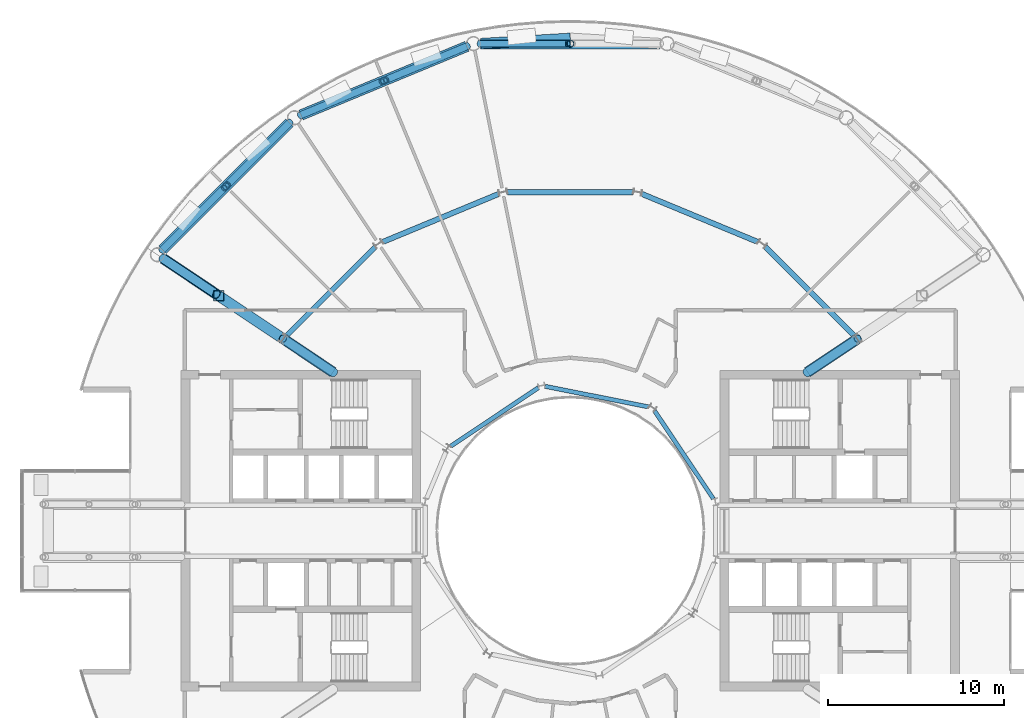
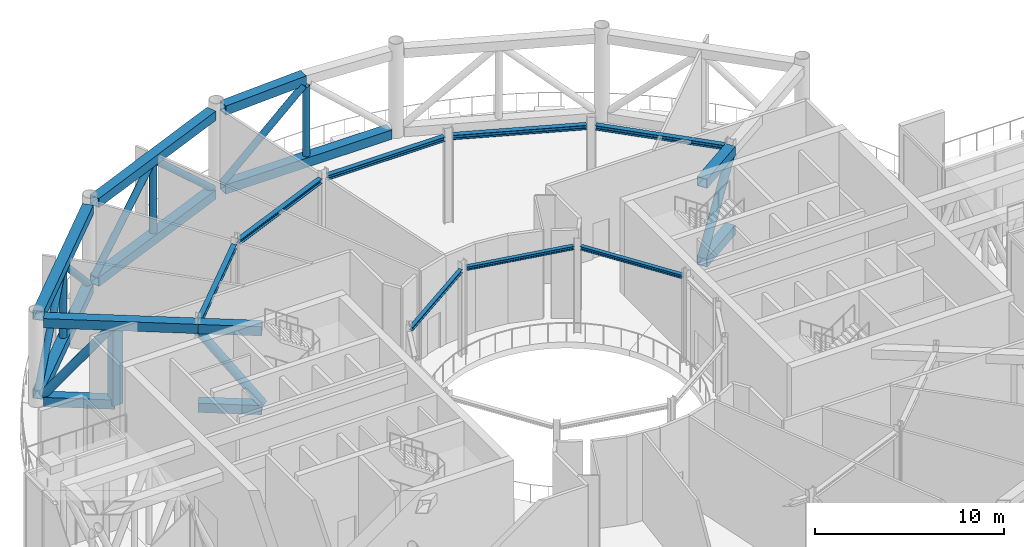
# One storey, part 9 of 24: 20 beams, 12 members.
"""IFC4 building model written with IfcOpenShell, lengths in metres."""

from ifc_helpers import new_model, si_unit, direction, frame, origin, origin_2d, place, context, subcontext, project, spatial, hollow_rectangle, hollow_circle, i_section, extrude, material, material_profile, profile_set, type_object, element, save


model = new_model("IFC4")

# Units and contexts
model_context = context("Model", 3, precision=1e-05, world=origin(), true_north=direction((0.0, 1.0)))
body_context = subcontext(model_context, "Body", "Model", "MODEL_VIEW")
ifc_project = project(units=[si_unit("LENGTHUNIT", "METRE"), si_unit("AREAUNIT", "SQUARE_METRE"), si_unit("VOLUMEUNIT", "CUBIC_METRE"), si_unit("PLANEANGLEUNIT", "RADIAN"), si_unit("MASSUNIT", "GRAM", prefix="KILO")], contexts=[model_context])

# Site, building, storey
site_placement = place(None, origin())
site = spatial("IfcSite", under=ifc_project, at=site_placement, CompositionType="ELEMENT")
building_placement = place(site_placement, origin())
building = spatial("IfcBuilding", under=site, at=building_placement, Name="Maasbend Ring Residences", CompositionType="ELEMENT")
storey_placement = place(building_placement, frame((0.0, 0.0, 179.89990234375)))
storey = spatial("IfcBuildingStorey", under=building, at=storey_placement, Name="L52", CompositionType="ELEMENT", Elevation=179.89990234375)

# Beams
ifc_material_1 = material(Name="Steel S460M", Category="steel")
ifc_material_profile_1 = material_profile(ifc_material_1, hollow_rectangle(XDim=0.60009765625, YDim=0.60009765625, WallThickness=0.035888671875, at=origin_2d()), Name="Belt truss chord BX 600x600x36")
ifc_profile_set_1 = profile_set([ifc_material_profile_1], Name="Steel S460M")
beam_type_1 = type_object("IfcBeamType", Name="Belt truss chord BX 600x600x36", PredefinedType="BEAM", material=ifc_profile_set_1)
beam_1_placement = place(storey_placement, frame((5.094970703125, 27.658203125, 0.300048828125), z_axis=(-1.0, 0.0, 0.0), x_axis=(0.0, -1.0, 0.0)))
element("IfcBeam", 1, at=beam_1_placement, inside=storey, type_object=beam_type_1, Name="Belt truss", PredefinedType="BEAM", context=body_context, shape_type="SweptSolid", body=[
    extrude(hollow_rectangle(XDim=0.60009765625, YDim=0.60009765625, WallThickness=0.035888671875, at=origin_2d()), origin(), (0.0, 0.0, 1.0), 10.18994140625),
])
beam_2_placement = place(storey_placement, frame((0.0, 27.9580078125, 5.400146484375), z_axis=(-0.998273218339, -0.058741650875, 0.0), x_axis=(0.058741650875, -0.998273218339, 0.0)))
element("IfcBeam", 2, at=beam_2_placement, inside=storey, type_object=beam_type_1, Name="Belt truss", PredefinedType="BEAM", context=body_context, shape_type="SweptSolid", body=[
    extrude(hollow_rectangle(XDim=0.60009765625, YDim=0.60009765625, WallThickness=0.035888671875, at=origin_2d()), origin(), (0.0, 0.0, 1.0), 5.103759765625),
])
for number, where, z_axis, x_axis, name in (
    (3, (-5.877197265625, 27.50244140625, 0.300048828125), (-0.923883676188, -0.382673428492, 0.0), (0.382673428492, -0.923883676188, 0.0), "Belt truss"),
    (4, (-5.877197265625, 27.50244140625, 5.400146484375), (-0.923883676188, -0.382673428492, 0.0), (0.382673428492, -0.923883676188, 0.0), "Belt truss"),
    (5, (-15.95458984375, 23.159912109375, 0.300048828125), (-0.707106781187, -0.707106781187, 0.0), (0.707106781187, -0.707106781187, 0.0), "Belt truss"),
    (6, (-15.95458984375, 23.159912109375, 5.400146484375), (-0.707106781187, -0.707106781187, 0.0), (0.707106781187, -0.707106781187, 0.0), "Belt truss"),
):
    element("IfcBeam", number, at=place(storey_placement, frame(where, z_axis=z_axis, x_axis=x_axis)), inside=storey, type_object=beam_type_1, Name=name, PredefinedType="BEAM", context=body_context, shape_type="SweptSolid", body=[
        extrude(hollow_rectangle(XDim=0.60009765625, YDim=0.60009765625, WallThickness=0.035888671875, at=origin_2d()), origin(), (0.0, 0.0, 1.0), 10.18994140625),
    ])

# Members
ifc_material_2 = material(Name="Steel S460NH", Category="steel")
ifc_material_profile_2 = material_profile(ifc_material_2, hollow_circle(Radius=0.203125, WallThickness=0.01611328125, at=origin_2d()), Name="Belt truss diagonal CHS 406.4x16")
ifc_profile_set_2 = profile_set([ifc_material_profile_2], Name="Steel S460NH")
member_type_1 = type_object("IfcMemberType", Name="Belt truss diagonal CHS 406.4x16", PredefinedType="BRACE", material=ifc_profile_set_2)
member_1_placement = place(storey_placement, frame((-0.148681640625, 27.658203125, 5.150146484375), z_axis=(-0.735973261866, 0.0, -0.677010603919), x_axis=(0.0, -1.0, 0.0)))
element("IfcMember", 7, at=member_1_placement, inside=storey, type_object=member_type_1, Name="Belt truss diagonal", PredefinedType="BRACE", context=body_context, shape_type="SweptSolid", body=[
    extrude(hollow_circle(Radius=0.203125, WallThickness=0.01611328125, at=origin_2d()), origin(), (0.0, 0.0, 1.0), 6.794677734375),
])
member_2_placement = place(storey_placement, frame((-5.826904296875, 27.523193359375, 0.550048828125), z_axis=(-0.679938177995, -0.281633749359, 0.677027699084), x_axis=(0.382676629581, -0.923882350288, 0.0)))
element("IfcMember", 8, at=member_2_placement, inside=storey, type_object=member_type_1, Name="Belt truss diagonal", PredefinedType="BRACE", context=body_context, shape_type="SweptSolid", body=[
    extrude(hollow_circle(Radius=0.203125, WallThickness=0.01611328125, at=origin_2d()), origin(), (0.0, 0.0, 1.0), 6.79443359375),
])
member_3_placement = place(storey_placement, frame((-10.7216796875, 25.495849609375, 5.150146484375), z_axis=(-0.679957497264, -0.281626868715, -0.677011158499), x_axis=(0.382659368921, -0.923889499549, 0.0)))
element("IfcMember", 9, at=member_3_placement, inside=storey, type_object=member_type_1, Name="Belt truss diagonal", PredefinedType="BRACE", context=body_context, shape_type="SweptSolid", body=[
    extrude(hollow_circle(Radius=0.203125, WallThickness=0.01611328125, at=origin_2d()), origin(), (0.0, 0.0, 1.0), 6.794677734375),
])
for number, where, z_axis, x_axis, name in (
    (10, (-15.916015625, 23.198486328125, 0.550048828125), (-0.520400679453, -0.520400679453, 0.677027522077), (0.707106781187, -0.707106781187, 0.0), "Belt truss diagonal"),
    (11, (-19.66259765625, 19.451904296875, 5.150146484375), (-0.520400679453, -0.520400679453, -0.677027522077), (0.707106781187, -0.707106781187, 0.0), "Belt truss diagonal"),
):
    element("IfcMember", number, at=place(storey_placement, frame(where, z_axis=z_axis, x_axis=x_axis)), inside=storey, type_object=member_type_1, Name=name, PredefinedType="BRACE", context=body_context, shape_type="SweptSolid", body=[
        extrude(hollow_circle(Radius=0.203125, WallThickness=0.01611328125, at=origin_2d()), origin(), (0.0, 0.0, 1.0), 6.79443359375),
    ])
ifc_material_3 = material(Name="Steel S460NH", Category="steel")
ifc_material_profile_3 = material_profile(ifc_material_3, hollow_circle(Radius=0.203125, WallThickness=0.01611328125, at=origin_2d()), Name="Belt truss post CHS 406.4x16")
ifc_profile_set_3 = profile_set([ifc_material_profile_3], Name="Steel S460NH")
member_type_2 = type_object("IfcMemberType", Name="Belt truss post CHS 406.4x16", PredefinedType="POST", material=ifc_profile_set_3)
for number, where, z_axis, x_axis, name in (
    (12, (0.0, 27.658203125, 0.60009765625), (0.0, 0.0, 1.0), (1.0, 0.0, 0.0), "Belt truss post"),
    (13, (-10.584228515625, 25.552734375, 0.60009765625), (0.0, 0.0, 1.0), (1.0, 0.0, 0.0), "Belt truss post"),
    (14, (-19.55712890625, 19.55712890625, 0.60009765625), (0.0, 0.0, 1.0), (1.0, 0.0, 0.0), "Belt truss post"),
):
    element("IfcMember", number, at=place(storey_placement, frame(where, z_axis=z_axis, x_axis=x_axis)), inside=storey, type_object=member_type_2, Name=name, PredefinedType="POST", context=body_context, shape_type="SweptSolid", body=[
        extrude(hollow_circle(Radius=0.203125, WallThickness=0.01611328125, at=origin_2d()), origin(), (0.0, 0.0, 1.0), 4.5),
    ])

# Beams
ifc_material_4 = material(Name="Steel S355J2", Category="steel")
ifc_material_profile_4 = material_profile(ifc_material_4, i_section(OverallWidth=0.300048828125, OverallDepth=0.2900390625, WebThickness=0.008544921875, FlangeThickness=0.013916015625, FilletRadius=0.027099609375, at=origin_2d()), Name="HEA 300")
ifc_profile_set_4 = profile_set([ifc_material_profile_4], Name="Steel S355J2")
beam_type_2 = type_object("IfcBeamType", Name="Corridor ring beam HEA 300", PredefinedType="BEAM", material=ifc_profile_set_4)
for number, where, z_axis, x_axis, name in (
    (15, (16.11669921875, 11.0693359375, 5.55517578125), (-0.707106781187, 0.707106781187, 0.0), (-0.707106781187, -0.707106781187, 0.0), "Corridor ring beam"),
    (16, (10.65380859375, 16.394287109375, 5.55517578125), (-0.923871339849, 0.382703210602, 0.0), (-0.382703210602, -0.923871339849, 0.0), "Corridor ring beam"),
):
    element("IfcBeam", number, at=place(storey_placement, frame(where, z_axis=z_axis, x_axis=x_axis)), inside=storey, type_object=beam_type_2, Name=name, PredefinedType="BEAM", context=body_context, shape_type="SweptSolid", body=[
        extrude(i_section(OverallWidth=0.300048828125, OverallDepth=0.2900390625, WebThickness=0.008544921875, FlangeThickness=0.013916015625, FilletRadius=0.027099609375, at=origin_2d()), origin(), (0.0, 0.0, 1.0), 7.137939453125),
    ])
beam_3_placement = place(storey_placement, frame((3.56884765625, 19.223388671875, 5.55517578125), z_axis=(-1.0, 0.0, 0.0), x_axis=(0.0, -1.0, 0.0)))
element("IfcBeam", 17, at=beam_3_placement, inside=storey, type_object=beam_type_2, Name="Corridor ring beam", PredefinedType="BEAM", context=body_context, shape_type="SweptSolid", body=[
    extrude(i_section(OverallWidth=0.300048828125, OverallDepth=0.2900390625, WebThickness=0.008544921875, FlangeThickness=0.013916015625, FilletRadius=0.027099609375, at=origin_2d()), origin(), (0.0, 0.0, 1.0), 7.1376953125),
])
for number, where, z_axis, x_axis, name in (
    (18, (-4.059326171875, 19.1259765625, 5.55517578125), (-0.923871339849, -0.382703210602, 0.0), (0.382703210602, -0.923871339849, 0.0), "Corridor ring beam"),
    (19, (-11.0693359375, 16.11669921875, 5.55517578125), (-0.707106781187, -0.707106781187, 0.0), (0.707106781187, -0.707106781187, 0.0), "Corridor ring beam"),
):
    element("IfcBeam", number, at=place(storey_placement, frame(where, z_axis=z_axis, x_axis=x_axis)), inside=storey, type_object=beam_type_2, Name=name, PredefinedType="BEAM", context=body_context, shape_type="SweptSolid", body=[
        extrude(i_section(OverallWidth=0.300048828125, OverallDepth=0.2900390625, WebThickness=0.008544921875, FlangeThickness=0.013916015625, FilletRadius=0.027099609375, at=origin_2d()), origin(), (0.0, 0.0, 1.0), 7.137939453125),
    ])
ifc_material_5 = material(Name="Steel S460M", Category="steel")
ifc_material_profile_5 = material_profile(ifc_material_5, hollow_rectangle(XDim=0.60009765625, YDim=0.60009765625, WallThickness=0.035888671875, at=origin_2d()), Name="Outrigger truss chord BX 600x600x36")
ifc_profile_set_5 = profile_set([ifc_material_profile_5], Name="Steel S460M")
beam_type_3 = type_object("IfcBeamType", Name="Outrigger truss chord BX 600x600x36", PredefinedType="BEAM", material=ifc_profile_set_5)
for number, where, z_axis, x_axis, name in (
    (20, (16.2900390625, 10.884765625, 0.300048828125), (-0.831451918965, -0.555596712058, 0.0), (0.555596712058, -0.831451918965, 0.0), "Outrigger truss"),
    (21, (16.2900390625, 10.884765625, 5.400146484375), (-0.831451918965, -0.555596712058, 0.0), (0.555596712058, -0.831451918965, 0.0), "Outrigger truss"),
):
    element("IfcBeam", number, at=place(storey_placement, frame(where, z_axis=z_axis, x_axis=x_axis)), inside=storey, type_object=beam_type_3, Name=name, PredefinedType="BEAM", context=body_context, shape_type="SweptSolid", body=[
        extrude(hollow_rectangle(XDim=0.60009765625, YDim=0.60009765625, WallThickness=0.035888671875, at=origin_2d()), origin(), (0.0, 0.0, 1.0), 3.392333984375),
    ])
beam_4_placement = place(storey_placement, frame((-23.109375, 15.44140625, 0.300048828125), z_axis=(0.831444556462, -0.555607729904, 0.0), x_axis=(0.555607729904, 0.831444556462, 0.0)))
element("IfcBeam", 22, at=beam_4_placement, inside=storey, type_object=beam_type_3, Name="Outrigger truss", PredefinedType="BEAM", context=body_context, shape_type="SweptSolid", body=[
    extrude(hollow_rectangle(XDim=0.60009765625, YDim=0.60009765625, WallThickness=0.035888671875, at=origin_2d()), origin(), (0.0, 0.0, 1.0), 3.78564453125),
])
beam_5_placement = place(storey_placement, frame((-23.109375, 15.44140625, 5.400146484375), z_axis=(0.831453297605, -0.555594648914, 0.0), x_axis=(0.555594648914, 0.831453297605, 0.0)))
element("IfcBeam", 23, at=beam_5_placement, inside=storey, type_object=beam_type_3, Name="Outrigger truss", PredefinedType="BEAM", context=body_context, shape_type="SweptSolid", body=[
    extrude(hollow_rectangle(XDim=0.60009765625, YDim=0.60009765625, WallThickness=0.035888671875, at=origin_2d()), origin(), (0.0, 0.0, 1.0), 8.185546875),
])
for number, where, z_axis, x_axis, name in (
    (24, (-16.2900390625, 10.884765625, 0.300048828125), (0.831451918965, -0.555596712058, 0.0), (0.555596712058, 0.831451918965, 0.0), "Outrigger truss"),
    (25, (-16.2900390625, 10.884765625, 5.400146484375), (0.831451918965, -0.555596712058, 0.0), (0.555596712058, 0.831451918965, 0.0), "Outrigger truss"),
):
    element("IfcBeam", number, at=place(storey_placement, frame(where, z_axis=z_axis, x_axis=x_axis)), inside=storey, type_object=beam_type_3, Name=name, PredefinedType="BEAM", context=body_context, shape_type="SweptSolid", body=[
        extrude(hollow_rectangle(XDim=0.60009765625, YDim=0.60009765625, WallThickness=0.035888671875, at=origin_2d()), origin(), (0.0, 0.0, 1.0), 3.392333984375),
    ])

# Members
ifc_material_6 = material(Name="Steel S460NH", Category="steel")
ifc_material_profile_6 = material_profile(ifc_material_6, hollow_circle(Radius=0.25390625, WallThickness=0.02490234375, at=origin_2d()), Name="Outrigger truss diagonal CHS 508x25")
ifc_profile_set_6 = profile_set([ifc_material_profile_6], Name="Steel S460NH")
member_type_3 = type_object("IfcMemberType", Name="Outrigger truss diagonal CHS 508x25", PredefinedType="BRACE", material=ifc_profile_set_6)
member_4_placement = place(storey_placement, frame((16.321533203125, 10.90576171875, 5.150146484375), z_axis=(-0.500536047813, -0.334453517005, -0.798501415028), x_axis=(0.555577149194, -0.831464991021, 0.0)))
element("IfcMember", 26, at=member_4_placement, inside=storey, type_object=member_type_3, Name="Outrigger truss diagonal", PredefinedType="BRACE", context=body_context, shape_type="SweptSolid", body=[
    extrude(hollow_circle(Radius=0.25390625, WallThickness=0.02490234375, at=origin_2d()), origin(), (0.0, 0.0, 1.0), 5.760986328125),
])
member_5_placement = place(storey_placement, frame((-23.142578125, 15.46337890625, 0.550048828125), z_axis=(0.51783647602, -0.346013259135, 0.782381114679), x_axis=(0.555576879921, 0.831465170946, 0.0)))
element("IfcMember", 27, at=member_5_placement, inside=storey, type_object=member_type_3, Name="Outrigger truss diagonal", PredefinedType="BRACE", context=body_context, shape_type="SweptSolid", body=[
    extrude(hollow_circle(Radius=0.25390625, WallThickness=0.02490234375, at=origin_2d()), origin(), (0.0, 0.0, 1.0), 5.879638671875),
])
member_6_placement = place(storey_placement, frame((-16.321533203125, 10.90576171875, 5.150146484375), z_axis=(0.500536047813, -0.334453517005, -0.798501415028), x_axis=(0.555577149194, 0.831464991021, 0.0)))
element("IfcMember", 28, at=member_6_placement, inside=storey, type_object=member_type_3, Name="Outrigger truss diagonal", PredefinedType="BRACE", context=body_context, shape_type="SweptSolid", body=[
    extrude(hollow_circle(Radius=0.25390625, WallThickness=0.02490234375, at=origin_2d()), origin(), (0.0, 0.0, 1.0), 5.760986328125),
])
ifc_material_7 = material(Name="Steel S460M", Category="steel")
ifc_material_profile_7 = material_profile(ifc_material_7, hollow_rectangle(XDim=0.60009765625, YDim=0.60009765625, WallThickness=0.035888671875, at=origin_2d()), Name="Outrigger truss post BX 600x600x36")
ifc_profile_set_7 = profile_set([ifc_material_profile_7], Name="Steel S460M")
member_type_4 = type_object("IfcMemberType", Name="Outrigger truss post BX 600x600x36", PredefinedType="POST", material=ifc_profile_set_7)
member_7_placement = place(storey_placement, frame((-19.9619140625, 13.338134765625, 0.25), z_axis=(0.0, 0.0, 1.0), x_axis=(1.0, 0.0, 0.0)))
element("IfcMember", 29, at=member_7_placement, inside=storey, type_object=member_type_4, Name="Outrigger truss post", PredefinedType="POST", context=body_context, shape_type="SweptSolid", body=[
    extrude(hollow_rectangle(XDim=0.60009765625, YDim=0.60009765625, WallThickness=0.035888671875, at=origin_2d()), origin(), (0.0, 0.0, 1.0), 4.85009765625),
])

# Beams
ifc_material_8 = material(Name="Steel S355J2", Category="steel")
ifc_material_profile_8 = material_profile(ifc_material_8, i_section(OverallWidth=0.239990234375, OverallDepth=0.22998046875, WebThickness=0.007568359375, FlangeThickness=0.011962890625, FilletRadius=0.02099609375, at=origin_2d()), Name="HEA 240")
ifc_profile_set_8 = profile_set([ifc_material_profile_8], Name="Steel S355J2")
beam_type_4 = type_object("IfcBeamType", Name="Well edge beam HEA 240", PredefinedType="BEAM", material=ifc_profile_set_8)
beam_6_placement = place(storey_placement, frame((8.121337890625, 1.814208984375, 5.585205078125), z_axis=(-0.555553413909, 0.831480850227, 0.0), x_axis=(-0.831480850227, -0.555553413909, 0.0)))
element("IfcBeam", 30, at=beam_6_placement, inside=storey, type_object=beam_type_4, Name="Well edge beam", PredefinedType="BEAM", context=body_context, shape_type="SweptSolid", body=[
    extrude(i_section(OverallWidth=0.239990234375, OverallDepth=0.22998046875, WebThickness=0.007568359375, FlangeThickness=0.011962890625, FilletRadius=0.02099609375, at=origin_2d()), origin(), (0.0, 0.0, 1.0), 6.0068359375),
])
beam_7_placement = place(storey_placement, frame((4.459716796875, 7.025390625, 5.585205078125), z_axis=(-0.980778695042, 0.195123425945, 0.0), x_axis=(-0.195123425945, -0.980778695042, 0.0)))
element("IfcBeam", 31, at=beam_7_placement, inside=storey, type_object=beam_type_4, Name="Well edge beam", PredefinedType="BEAM", context=body_context, shape_type="SweptSolid", body=[
    extrude(i_section(OverallWidth=0.239990234375, OverallDepth=0.22998046875, WebThickness=0.007568359375, FlangeThickness=0.011962890625, FilletRadius=0.02099609375, at=origin_2d()), origin(), (0.0, 0.0, 1.0), 6.007080078125),
])
beam_8_placement = place(storey_placement, frame((-1.814208984375, 8.121337890625, 5.585205078125), z_axis=(-0.831480850227, -0.555553413909, 0.0), x_axis=(0.555553413909, -0.831480850227, 0.0)))
element("IfcBeam", 32, at=beam_8_placement, inside=storey, type_object=beam_type_4, Name="Well edge beam", PredefinedType="BEAM", context=body_context, shape_type="SweptSolid", body=[
    extrude(i_section(OverallWidth=0.239990234375, OverallDepth=0.22998046875, WebThickness=0.007568359375, FlangeThickness=0.011962890625, FilletRadius=0.02099609375, at=origin_2d()), origin(), (0.0, 0.0, 1.0), 6.0068359375),
])

save(model, "model.ifc")
